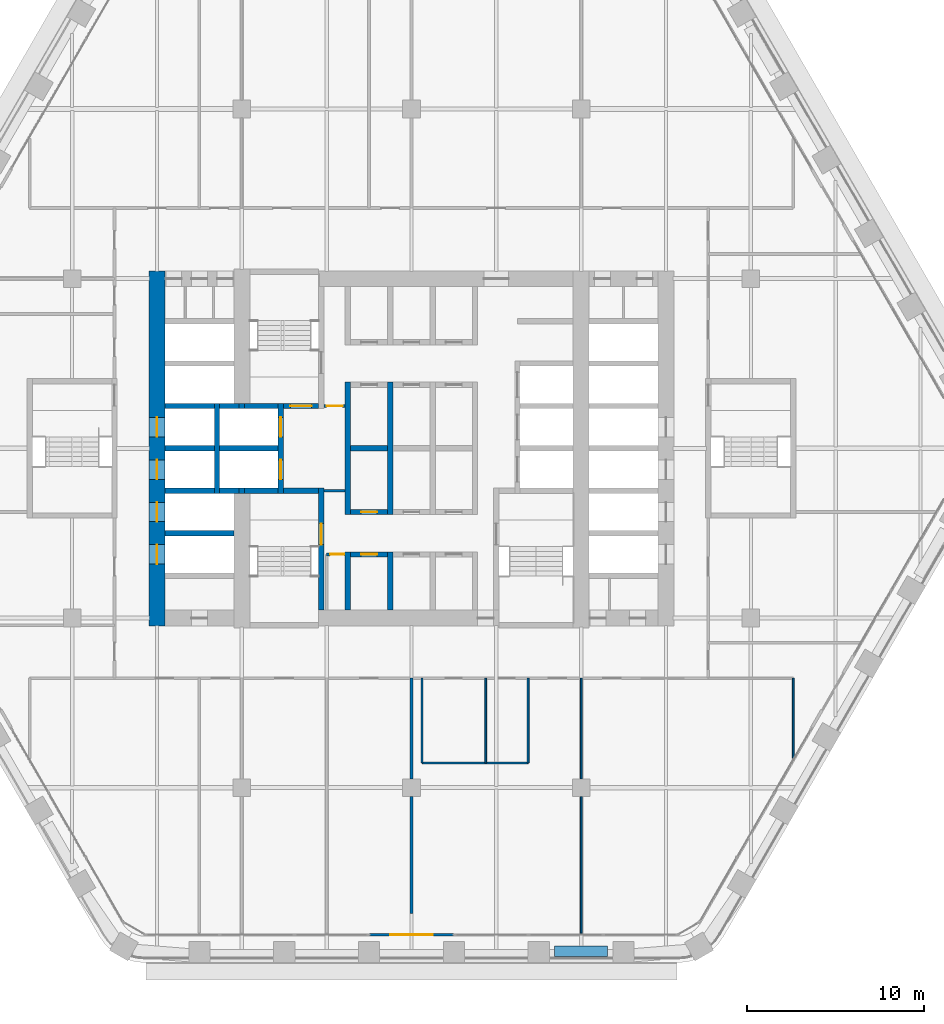
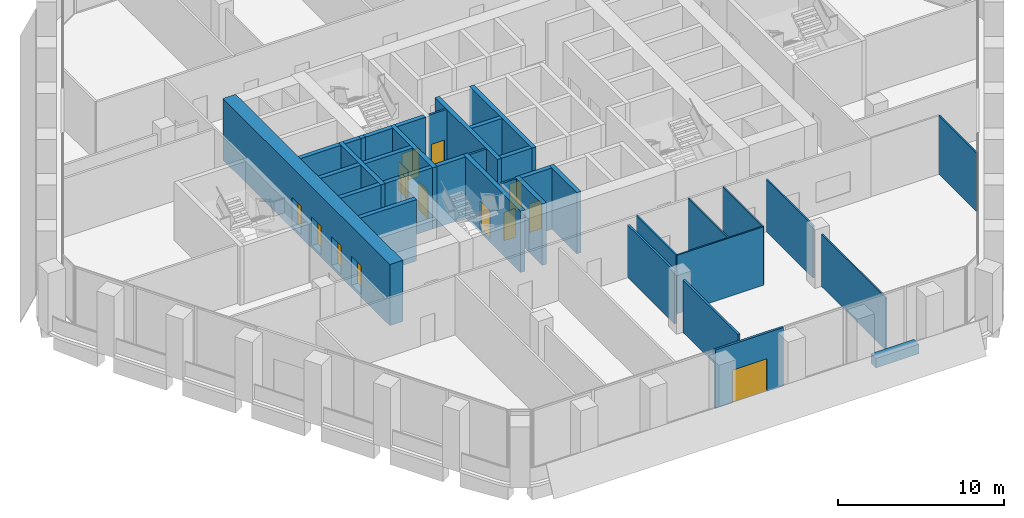
# One storey, part 13 of 22: 38 walls, 13 doors, 13 openings.
"""IFC4 building model written with IfcOpenShell, lengths in metres."""

from ifc_helpers import new_model, si_unit, direction, frame, frame_2d, origin, place, context, subcontext, project, spatial, rectangle, extrude, material, layer, layer_set, type_object, element, fill, save


model = new_model("IFC4")

# Units and contexts
model_context = context("Model", 3, precision=1e-05, world=origin(), true_north=direction((0.0, 1.0)))
body_context = subcontext(model_context, "Body", "Model", "MODEL_VIEW")
ifc_project = project(units=[si_unit("LENGTHUNIT", "METRE"), si_unit("AREAUNIT", "SQUARE_METRE"), si_unit("VOLUMEUNIT", "CUBIC_METRE"), si_unit("PLANEANGLEUNIT", "RADIAN"), si_unit("MASSUNIT", "GRAM", prefix="KILO")], contexts=[model_context])

# Site, building, storey
site_placement = place(None, origin())
site = spatial("IfcSite", under=ifc_project, at=site_placement, CompositionType="ELEMENT")
building_placement = place(site_placement, origin())
building = spatial("IfcBuilding", under=site, at=building_placement, Name="Kolab Exchange Tower", CompositionType="ELEMENT")
storey_placement = place(building_placement, frame((0.0, 0.0, 82.39990234375)))
storey = spatial("IfcBuildingStorey", under=building, at=storey_placement, Name="L15", CompositionType="ELEMENT", Elevation=82.39990234375)

# Wall, openings, doors
ifc_material_1 = material(Name="Concrete C70/85", Category="concrete")
ifc_layer_1 = layer(ifc_material_1, 0.89990234375)
ifc_layer_set_1 = layer_set([ifc_layer_1], Name="Concrete C70/85")
wall_type_1 = type_object("IfcWallType", Name="CORE WALL 900 C70/85", PredefinedType="SHEAR", material=ifc_layer_set_1)
wall_1_placement = place(storey_placement, frame((-14.39990234375, -10.050048828125, -0.199951171875), z_axis=(0.0, 0.0, 1.0), x_axis=(0.0, 1.0, 0.0)))
wall_1 = element("IfcWall", 1, at=wall_1_placement, inside=storey, type_object=wall_type_1, Name="wall/L15/core/057", PredefinedType="SHEAR", context=body_context, shape_type="SweptSolid", body=[
    extrude(rectangle(XDim=20.10009765625, YDim=0.89990234375, at=frame_2d((10.050048828125, 0.0))), origin(), (0.0, 0.0, 1.0), 4.5),
])
opening_1_placement = place(wall_1_placement, frame((3.5, 0.0, 0.199951171875)))
opening_1 = element("IfcOpeningElement", 2, at=opening_1_placement, cuts=wall_1, Name="Opening LD1-073", PredefinedType="OPENING", context=body_context, shape_type="SweptSolid", body=[
    extrude(rectangle(XDim=1.10009765625, YDim=2.10009765625, at=frame_2d((0.550048828125, 1.050048828125))), frame((0.0, 0.4599609375, 0.0), z_axis=(0.0, -1.0, 0.0), x_axis=(1.0, 0.0, 0.0)), (0.0, 0.0, 1.0), 0.919921875),
])
opening_2_placement = place(wall_1_placement, frame((5.89990234375, 0.0, 0.199951171875)))
opening_2 = element("IfcOpeningElement", 3, at=opening_2_placement, cuts=wall_1, Name="Opening LD1-074", PredefinedType="OPENING", context=body_context, shape_type="SweptSolid", body=[
    extrude(rectangle(XDim=1.10009765625, YDim=2.10009765625, at=frame_2d((0.550048828125, 1.050048828125))), frame((0.0, 0.4599609375, 0.0), z_axis=(0.0, -1.0, 0.0), x_axis=(1.0, 0.0, 0.0)), (0.0, 0.0, 1.0), 0.919921875),
])
opening_3_placement = place(wall_1_placement, frame((8.300048828125, 0.0, 0.199951171875)))
opening_3 = element("IfcOpeningElement", 4, at=opening_3_placement, cuts=wall_1, Name="Opening LD1-075", PredefinedType="OPENING", context=body_context, shape_type="SweptSolid", body=[
    extrude(rectangle(XDim=1.10009765625, YDim=2.10009765625, at=frame_2d((0.550048828125, 1.050048828125))), frame((0.0, 0.4599609375, 0.0), z_axis=(0.0, -1.0, 0.0), x_axis=(1.0, 0.0, 0.0)), (0.0, 0.0, 1.0), 0.919921875),
])
opening_4_placement = place(wall_1_placement, frame((10.699951171875, 0.0, 0.199951171875)))
opening_4 = element("IfcOpeningElement", 5, at=opening_4_placement, cuts=wall_1, Name="Opening LD1-076", PredefinedType="OPENING", context=body_context, shape_type="SweptSolid", body=[
    extrude(rectangle(XDim=1.10009765625, YDim=2.10009765625, at=frame_2d((0.550048828125, 1.050048828125))), frame((0.0, 0.4599609375, 0.0), z_axis=(0.0, -1.0, 0.0), x_axis=(1.0, 0.0, 0.0)), (0.0, 0.0, 1.0), 0.919921875),
])
ifc_material_2 = material(Name="Stainless steel 316", Category="steel")
door_type_1 = type_object("IfcDoorType", Name="LANDING DOOR 1100 PASSENGER", OperationType="DOUBLE_DOOR_SLIDING", PredefinedType="DOOR", material=ifc_material_2)
door_1_placement = place(opening_1_placement, origin())
door_1 = element("IfcDoor", 6, at=door_1_placement, inside=storey, type_object=door_type_1, Name="Landing door LR5", OperationType="DOUBLE_DOOR_SLIDING", OverallHeight=2.10009765625, OverallWidth=1.10009765625, PredefinedType="DOOR", context=body_context, shape_type="SweptSolid", body=[
    extrude(rectangle(XDim=1.10009765625, YDim=2.10009765625, at=frame_2d((0.550048828125, 1.050048828125))), frame((0.0, 0.02490234375, 0.0), z_axis=(0.0, -1.0, 0.0), x_axis=(1.0, 0.0, 0.0)), (0.0, 0.0, 1.0), 0.050048828125),
])
fill(opening_1, door_1)
door_2_placement = place(opening_2_placement, origin())
door_2 = element("IfcDoor", 7, at=door_2_placement, inside=storey, type_object=door_type_1, Name="Landing door LR6", OperationType="DOUBLE_DOOR_SLIDING", OverallHeight=2.10009765625, OverallWidth=1.10009765625, PredefinedType="DOOR", context=body_context, shape_type="SweptSolid", body=[
    extrude(rectangle(XDim=1.10009765625, YDim=2.10009765625, at=frame_2d((0.550048828125, 1.050048828125))), frame((0.0, 0.02490234375, 0.0), z_axis=(0.0, -1.0, 0.0), x_axis=(1.0, 0.0, 0.0)), (0.0, 0.0, 1.0), 0.050048828125),
])
fill(opening_2, door_2)
door_3_placement = place(opening_3_placement, origin())
door_3 = element("IfcDoor", 8, at=door_3_placement, inside=storey, type_object=door_type_1, Name="Landing door LR7", OperationType="DOUBLE_DOOR_SLIDING", OverallHeight=2.10009765625, OverallWidth=1.10009765625, PredefinedType="DOOR", context=body_context, shape_type="SweptSolid", body=[
    extrude(rectangle(XDim=1.10009765625, YDim=2.10009765625, at=frame_2d((0.550048828125, 1.050048828125))), frame((0.0, 0.02490234375, 0.0), z_axis=(0.0, -1.0, 0.0), x_axis=(1.0, 0.0, 0.0)), (0.0, 0.0, 1.0), 0.050048828125),
])
fill(opening_3, door_3)
door_4_placement = place(opening_4_placement, origin())
door_4 = element("IfcDoor", 9, at=door_4_placement, inside=storey, type_object=door_type_1, Name="Landing door LR8", OperationType="DOUBLE_DOOR_SLIDING", OverallHeight=2.10009765625, OverallWidth=1.10009765625, PredefinedType="DOOR", context=body_context, shape_type="SweptSolid", body=[
    extrude(rectangle(XDim=1.10009765625, YDim=2.10009765625, at=frame_2d((0.550048828125, 1.050048828125))), frame((0.0, 0.02490234375, 0.0), z_axis=(0.0, -1.0, 0.0), x_axis=(1.0, 0.0, 0.0)), (0.0, 0.0, 1.0), 0.050048828125),
])
fill(opening_4, door_4)

# Wall, opening, door
ifc_material_3 = material(Name="Aluminium EN AW-6063 T6", Category="aluminium")
ifc_layer_2 = layer(ifc_material_3, 0.159912109375)
ifc_layer_set_2 = layer_set([ifc_layer_2], Name="Aluminium EN AW-6063 T6")
wall_type_2 = type_object("IfcWallType", Name="DOOR SURROUND WALL 160 ALUMINIUM FRAMED", PredefinedType="PARTITIONING", material=ifc_layer_set_2)
wall_2_placement = place(storey_placement, frame((2.3701171875, -27.5185546875, 0.0), z_axis=(0.0, 0.0, 1.0), x_axis=(-1.0, 0.0, 0.0)))
wall_2 = element("IfcWall", 10, at=wall_2_placement, inside=storey, type_object=wall_type_2, Name="Door surround wall", PredefinedType="PARTITIONING", context=body_context, shape_type="SweptSolid", body=[
    extrude(rectangle(XDim=4.740234375, YDim=0.159912109375, at=frame_2d((2.3701171875, 0.0))), origin(), (0.0, 0.0, 1.0), 4.300048828125),
])
opening_5_placement = place(wall_2_placement, frame((1.169921875, 0.0, 0.0)))
opening_5 = element("IfcOpeningElement", 11, at=opening_5_placement, cuts=wall_2, Name="Opening GD1-037", PredefinedType="OPENING", context=body_context, shape_type="SweptSolid", body=[
    extrude(rectangle(XDim=2.39990234375, YDim=2.39990234375, at=frame_2d((1.199951171875, 1.199951171875))), frame((0.0, 0.08984375, 0.0), z_axis=(0.0, -1.0, 0.0), x_axis=(1.0, 0.0, 0.0)), (0.0, 0.0, 1.0), 0.179931640625),
])
door_type_2 = type_object("IfcDoorType", Name="LOGGIA SLIDING GLASS DOOR 2400 X 2400", OperationType="DOUBLE_DOOR_SINGLE_SWING", PredefinedType="DOOR", material=ifc_material_3)
door_5_placement = place(opening_5_placement, origin())
door_5 = element("IfcDoor", 12, at=door_5_placement, inside=storey, type_object=door_type_2, Name="Loggia door", OperationType="DOUBLE_DOOR_SLIDING", OverallHeight=2.39990234375, OverallWidth=2.39990234375, PredefinedType="DOOR", context=body_context, shape_type="SweptSolid", body=[
    extrude(rectangle(XDim=2.39990234375, YDim=2.39990234375, at=frame_2d((1.199951171875, 1.199951171875))), frame((0.0, 0.02490234375, 0.0), z_axis=(0.0, -1.0, 0.0), x_axis=(1.0, 0.0, 0.0)), (0.0, 0.0, 1.0), 0.050048828125),
])
fill(opening_5, door_5)

ifc_material_4 = material(Name="Concrete C50/60", Category="concrete")
ifc_layer_3 = layer(ifc_material_4, 0.300048828125)
ifc_layer_set_3 = layer_set([ifc_layer_3], Name="Concrete C50/60")
wall_type_3 = type_object("IfcWallType", Name="LIFT SHAFT WALL 300 C50/60", PredefinedType="STANDARD", material=ifc_layer_set_3)
wall_3_placement = place(storey_placement, frame((-3.449951171875, -6.0, -0.199951171875), z_axis=(0.0, 0.0, 1.0), x_axis=(1.0, 0.0, 0.0)))
wall_3 = element("IfcWall", 13, at=wall_3_placement, inside=storey, type_object=wall_type_3, Name="wall/L15/core/007", PredefinedType="STANDARD", context=body_context, shape_type="SweptSolid", body=[
    extrude(rectangle(XDim=2.099853515625, YDim=0.300048828125, at=frame_2d((1.0498046875, 0.0))), origin(), (0.0, 0.0, 1.0), 4.5),
])
opening_6_placement = place(wall_3_placement, frame((0.60009765625, 0.0, 0.199951171875)))
opening_6 = element("IfcOpeningElement", 14, at=opening_6_placement, cuts=wall_3, Name="Opening D6-202", PredefinedType="OPENING", context=body_context, shape_type="SweptSolid", body=[
    extrude(rectangle(XDim=0.89990234375, YDim=2.10009765625, at=frame_2d((0.449951171875, 1.050048828125))), frame((0.0, 0.16015625, 0.0), z_axis=(0.0, -1.0, 0.0), x_axis=(1.0, 0.0, 0.0)), (0.0, 0.0, 1.0), 0.320068359375),
])
ifc_material_5 = material(Name="Steel S235", Category="steel")
door_type_3 = type_object("IfcDoorType", Name="CORE DOOR 900 EI 120", OperationType="SINGLE_SWING_LEFT", PredefinedType="DOOR", material=ifc_material_5)
door_6_placement = place(opening_6_placement, frame((0.89990234375, 0.0, 0.0), z_axis=(0.0, 0.0, 1.0), x_axis=(-1.0, 0.0, 0.0)))
door_6 = element("IfcDoor", 15, at=door_6_placement, inside=storey, type_object=door_type_3, Name="Service room door", OperationType="SINGLE_SWING_LEFT", OverallHeight=2.10009765625, OverallWidth=0.89990234375, PredefinedType="DOOR", context=body_context, shape_type="SweptSolid", body=[
    extrude(rectangle(XDim=0.89990234375, YDim=2.10009765625, at=frame_2d((0.449951171875, 1.050048828125))), frame((0.0, 0.02490234375, 0.0), z_axis=(0.0, -1.0, 0.0), x_axis=(1.0, 0.0, 0.0)), (0.0, 0.0, 1.0), 0.050048828125),
])
fill(opening_6, door_6)

# Wall
wall_4_placement = place(storey_placement, frame((-13.949951171875, -4.800048828125, -0.199951171875), z_axis=(0.0, 0.0, 1.0), x_axis=(1.0, 0.0, 0.0)))
element("IfcWall", 16, at=wall_4_placement, inside=storey, type_object=wall_type_3, Name="wall/L15/core/010", PredefinedType="STANDARD", context=body_context, shape_type="SweptSolid", body=[
    extrude(rectangle(XDim=3.89990234375, YDim=0.300048828125, at=frame_2d((1.949951171875, 0.0))), origin(), (0.0, 0.0, 1.0), 4.5),
])

# Wall, opening, door
wall_5_placement = place(storey_placement, frame((-3.449951171875, -3.60009765625, -0.199951171875), z_axis=(0.0, 0.0, 1.0), x_axis=(1.0, 0.0, 0.0)))
wall_5 = element("IfcWall", 17, at=wall_5_placement, inside=storey, type_object=wall_type_3, Name="wall/L15/core/014", PredefinedType="STANDARD", context=body_context, shape_type="SweptSolid", body=[
    extrude(rectangle(XDim=2.099853515625, YDim=0.300048828125, at=frame_2d((1.0498046875, 0.0))), origin(), (0.0, 0.0, 1.0), 4.5),
])
opening_7_placement = place(wall_5_placement, frame((0.60009765625, 0.0, 0.199951171875)))
opening_7 = element("IfcOpeningElement", 18, at=opening_7_placement, cuts=wall_5, Name="Opening D6-199", PredefinedType="OPENING", context=body_context, shape_type="SweptSolid", body=[
    extrude(rectangle(XDim=0.89990234375, YDim=2.10009765625, at=frame_2d((0.449951171875, 1.050048828125))), frame((0.0, 0.16015625, 0.0), z_axis=(0.0, -1.0, 0.0), x_axis=(1.0, 0.0, 0.0)), (0.0, 0.0, 1.0), 0.320068359375),
])
door_7_placement = place(opening_7_placement, origin())
door_7 = element("IfcDoor", 19, at=door_7_placement, inside=storey, type_object=door_type_3, Name="Service room door", OperationType="SINGLE_SWING_LEFT", OverallHeight=2.10009765625, OverallWidth=0.89990234375, PredefinedType="DOOR", context=body_context, shape_type="SweptSolid", body=[
    extrude(rectangle(XDim=0.89990234375, YDim=2.10009765625, at=frame_2d((0.449951171875, 1.050048828125))), frame((0.0, 0.02490234375, 0.0), z_axis=(0.0, -1.0, 0.0), x_axis=(1.0, 0.0, 0.0)), (0.0, 0.0, 1.0), 0.050048828125),
])
fill(opening_7, door_7)

# Walls
wall_6_placement = place(storey_placement, frame((-13.949951171875, -2.39990234375, -0.199951171875), z_axis=(0.0, 0.0, 1.0), x_axis=(1.0, 0.0, 0.0)))
element("IfcWall", 20, at=wall_6_placement, inside=storey, type_object=wall_type_3, Name="wall/L15/core/017", PredefinedType="STANDARD", context=body_context, shape_type="SweptSolid", body=[
    extrude(rectangle(XDim=2.800048828125, YDim=0.300048828125, at=frame_2d((1.39990234375, 0.0))), origin(), (0.0, 0.0, 1.0), 4.5),
])
wall_7_placement = place(storey_placement, frame((-10.85009765625, -2.39990234375, -0.199951171875), z_axis=(0.0, 0.0, 1.0), x_axis=(1.0, 0.0, 0.0)))
element("IfcWall", 21, at=wall_7_placement, inside=storey, type_object=wall_type_3, Name="wall/L15/core/018", PredefinedType="STANDARD", context=body_context, shape_type="SweptSolid", body=[
    extrude(rectangle(XDim=1.10009765625, YDim=0.300048828125, at=frame_2d((0.550048828125, 0.0))), origin(), (0.0, 0.0, 1.0), 4.5),
])
wall_8_placement = place(storey_placement, frame((-13.949951171875, 0.0, -0.199951171875), z_axis=(0.0, 0.0, 1.0), x_axis=(1.0, 0.0, 0.0)))
element("IfcWall", 22, at=wall_8_placement, inside=storey, type_object=wall_type_3, Name="wall/L15/core/024", PredefinedType="STANDARD", context=body_context, shape_type="SweptSolid", body=[
    extrude(rectangle(XDim=2.800048828125, YDim=0.300048828125, at=frame_2d((1.39990234375, 0.0))), origin(), (0.0, 0.0, 1.0), 4.5),
])
wall_9_placement = place(storey_placement, frame((-10.85009765625, 0.0, -0.199951171875), z_axis=(0.0, 0.0, 1.0), x_axis=(1.0, 0.0, 0.0)))
element("IfcWall", 23, at=wall_9_placement, inside=storey, type_object=wall_type_3, Name="wall/L15/core/025", PredefinedType="STANDARD", context=body_context, shape_type="SweptSolid", body=[
    extrude(rectangle(XDim=3.300048828125, YDim=0.300048828125, at=frame_2d((1.64990234375, 0.0))), origin(), (0.0, 0.0, 1.0), 4.5),
])
wall_10_placement = place(storey_placement, frame((-3.449951171875, 0.0, -0.199951171875), z_axis=(0.0, 0.0, 1.0), x_axis=(1.0, 0.0, 0.0)))
element("IfcWall", 24, at=wall_10_placement, inside=storey, type_object=wall_type_3, Name="wall/L15/core/026", PredefinedType="STANDARD", context=body_context, shape_type="SweptSolid", body=[
    extrude(rectangle(XDim=2.099853515625, YDim=0.300048828125, at=frame_2d((1.0498046875, 0.0))), origin(), (0.0, 0.0, 1.0), 4.5),
])
wall_11_placement = place(storey_placement, frame((-13.949951171875, 2.39990234375, -0.199951171875), z_axis=(0.0, 0.0, 1.0), x_axis=(1.0, 0.0, 0.0)))
element("IfcWall", 25, at=wall_11_placement, inside=storey, type_object=wall_type_3, Name="wall/L15/core/031", PredefinedType="STANDARD", context=body_context, shape_type="SweptSolid", body=[
    extrude(rectangle(XDim=2.800048828125, YDim=0.300048828125, at=frame_2d((1.39990234375, 0.0))), origin(), (0.0, 0.0, 1.0), 4.5),
])
wall_12_placement = place(storey_placement, frame((-10.85009765625, 2.39990234375, -0.199951171875), z_axis=(0.0, 0.0, 1.0), x_axis=(1.0, 0.0, 0.0)))
element("IfcWall", 26, at=wall_12_placement, inside=storey, type_object=wall_type_3, Name="wall/L15/core/032", PredefinedType="STANDARD", context=body_context, shape_type="SweptSolid", body=[
    extrude(rectangle(XDim=1.10009765625, YDim=0.300048828125, at=frame_2d((0.550048828125, 0.0))), origin(), (0.0, 0.0, 1.0), 4.5),
])
wall_13_placement = place(storey_placement, frame((-11.0, -2.550048828125, -0.199951171875), z_axis=(0.0, 0.0, 1.0), x_axis=(0.0, 1.0, 0.0)))
element("IfcWall", 27, at=wall_13_placement, inside=storey, type_object=wall_type_3, Name="wall/L15/core/058", PredefinedType="STANDARD", context=body_context, shape_type="SweptSolid", body=[
    extrude(rectangle(XDim=5.10009765625, YDim=0.300048828125, at=frame_2d((2.550048828125, 0.0))), origin(), (0.0, 0.0, 1.0), 4.5),
])

# Wall, openings, doors
wall_14_placement = place(storey_placement, frame((-7.39990234375, -2.550048828125, -0.199951171875), z_axis=(0.0, 0.0, 1.0), x_axis=(0.0, 1.0, 0.0)))
wall_14 = element("IfcWall", 28, at=wall_14_placement, inside=storey, type_object=wall_type_3, Name="wall/L15/core/063", PredefinedType="STANDARD", context=body_context, shape_type="SweptSolid", body=[
    extrude(rectangle(XDim=5.10009765625, YDim=0.300048828125, at=frame_2d((2.550048828125, 0.0))), origin(), (0.0, 0.0, 1.0), 4.5),
])
opening_8_placement = place(wall_14_placement, frame((0.800048828125, 0.0, 0.199951171875)))
opening_8 = element("IfcOpeningElement", 29, at=opening_8_placement, cuts=wall_14, Name="Opening LD2-017", PredefinedType="OPENING", context=body_context, shape_type="SweptSolid", body=[
    extrude(rectangle(XDim=1.10009765625, YDim=2.10009765625, at=frame_2d((0.550048828125, 1.050048828125))), frame((0.0, 0.16015625, 0.0), z_axis=(0.0, -1.0, 0.0), x_axis=(1.0, 0.0, 0.0)), (0.0, 0.0, 1.0), 0.320068359375),
])
opening_9_placement = place(wall_14_placement, frame((3.199951171875, 0.0, 0.199951171875)))
opening_9 = element("IfcOpeningElement", 30, at=opening_9_placement, cuts=wall_14, Name="Opening LD2-018", PredefinedType="OPENING", context=body_context, shape_type="SweptSolid", body=[
    extrude(rectangle(XDim=1.10009765625, YDim=2.10009765625, at=frame_2d((0.550048828125, 1.050048828125))), frame((0.0, 0.16015625, 0.0), z_axis=(0.0, -1.0, 0.0), x_axis=(1.0, 0.0, 0.0)), (0.0, 0.0, 1.0), 0.320068359375),
])
door_type_4 = type_object("IfcDoorType", Name="LANDING DOOR 1100 FIREFIGHTING", OperationType="DOUBLE_DOOR_SLIDING", PredefinedType="DOOR", material=ifc_material_2)
door_8_placement = place(opening_8_placement, origin())
door_8 = element("IfcDoor", 31, at=door_8_placement, inside=storey, type_object=door_type_4, Name="Landing door FF1", OperationType="DOUBLE_DOOR_SLIDING", OverallHeight=2.10009765625, OverallWidth=1.10009765625, PredefinedType="DOOR", context=body_context, shape_type="SweptSolid", body=[
    extrude(rectangle(XDim=1.10009765625, YDim=2.10009765625, at=frame_2d((0.550048828125, 1.050048828125))), frame((0.0, 0.02490234375, 0.0), z_axis=(0.0, -1.0, 0.0), x_axis=(1.0, 0.0, 0.0)), (0.0, 0.0, 1.0), 0.050048828125),
])
fill(opening_8, door_8)
door_9_placement = place(opening_9_placement, origin())
door_9 = element("IfcDoor", 32, at=door_9_placement, inside=storey, type_object=door_type_4, Name="Landing door FF2", OperationType="DOUBLE_DOOR_SLIDING", OverallHeight=2.10009765625, OverallWidth=1.10009765625, PredefinedType="DOOR", context=body_context, shape_type="SweptSolid", body=[
    extrude(rectangle(XDim=1.10009765625, YDim=2.10009765625, at=frame_2d((0.550048828125, 1.050048828125))), frame((0.0, 0.02490234375, 0.0), z_axis=(0.0, -1.0, 0.0), x_axis=(1.0, 0.0, 0.0)), (0.0, 0.0, 1.0), 0.050048828125),
])
fill(opening_9, door_9)

# Walls
wall_15_placement = place(storey_placement, frame((-3.60009765625, -9.14990234375, -0.199951171875), z_axis=(0.0, 0.0, 1.0), x_axis=(0.0, 1.0, 0.0)))
element("IfcWall", 33, at=wall_15_placement, inside=storey, type_object=wall_type_3, Name="wall/L15/core/066", PredefinedType="STANDARD", context=body_context, shape_type="SweptSolid", body=[
    extrude(rectangle(XDim=3.2998046875, YDim=0.300048828125, at=frame_2d((1.64990234375, 0.0))), origin(), (0.0, 0.0, 1.0), 4.5),
])
wall_16_placement = place(storey_placement, frame((-3.60009765625, -3.75, -0.199951171875), z_axis=(0.0, 0.0, 1.0), x_axis=(0.0, 1.0, 0.0)))
element("IfcWall", 34, at=wall_16_placement, inside=storey, type_object=wall_type_3, Name="wall/L15/core/067", PredefinedType="STANDARD", context=body_context, shape_type="SweptSolid", body=[
    extrude(rectangle(XDim=7.5, YDim=0.300048828125, at=frame_2d((3.75, 0.0))), origin(), (0.0, 0.0, 1.0), 4.5),
])
wall_17_placement = place(storey_placement, frame((-1.199951171875, -9.14990234375, -0.199951171875), z_axis=(0.0, 0.0, 1.0), x_axis=(0.0, 1.0, 0.0)))
element("IfcWall", 35, at=wall_17_placement, inside=storey, type_object=wall_type_3, Name="wall/L15/core/069", PredefinedType="STANDARD", context=body_context, shape_type="SweptSolid", body=[
    extrude(rectangle(XDim=3.2998046875, YDim=0.300048828125, at=frame_2d((1.64990234375, 0.0))), origin(), (0.0, 0.0, 1.0), 4.5),
])
wall_18_placement = place(storey_placement, frame((-1.199951171875, -3.75, -0.199951171875), z_axis=(0.0, 0.0, 1.0), x_axis=(0.0, 1.0, 0.0)))
element("IfcWall", 36, at=wall_18_placement, inside=storey, type_object=wall_type_3, Name="wall/L15/core/070", PredefinedType="STANDARD", context=body_context, shape_type="SweptSolid", body=[
    extrude(rectangle(XDim=7.5, YDim=0.300048828125, at=frame_2d((3.75, 0.0))), origin(), (0.0, 0.0, 1.0), 4.5),
])
ifc_material_6 = material(Name="Gypsum board", Category="gypsum")
ifc_layer_4 = layer(ifc_material_6, 0.10009765625)
ifc_layer_set_4 = layer_set([ifc_layer_4], Name="Gypsum board")
wall_type_4 = type_object("IfcWallType", Name="PARTITION 100", PredefinedType="PARTITIONING", material=ifc_layer_set_4)
wall_19_placement = place(storey_placement, frame((21.60009765625, -17.544677734375, 0.0), z_axis=(0.0, 0.0, 1.0), x_axis=(0.0, 1.0, 0.0)))
element("IfcWall", 37, at=wall_19_placement, inside=storey, type_object=wall_type_4, Name="Partition 000", PredefinedType="PARTITIONING", context=body_context, shape_type="SweptSolid", body=[
    extrude(rectangle(XDim=4.544677734375, YDim=0.10009765625, at=frame_2d((2.2724609375, 0.0))), origin(), (0.0, 0.0, 1.0), 4.300048828125),
])
wall_20_placement = place(storey_placement, frame((9.60009765625, -27.428466796875, 0.0), z_axis=(0.0, 0.0, 1.0), x_axis=(0.0, 1.0, 0.0)))
element("IfcWall", 38, at=wall_20_placement, inside=storey, type_object=wall_type_4, Name="Partition 006", PredefinedType="PARTITIONING", context=body_context, shape_type="SweptSolid", body=[
    extrude(rectangle(XDim=7.728515625, YDim=0.10009765625, at=frame_2d((3.8642578125, 0.0))), origin(), (0.0, 0.0, 1.0), 3.843017578125),
])
wall_21_placement = place(storey_placement, frame((9.60009765625, -18.699951171875, 0.0), z_axis=(0.0, 0.0, 1.0), x_axis=(0.0, 1.0, 0.0)))
element("IfcWall", 39, at=wall_21_placement, inside=storey, type_object=wall_type_4, Name="Partition 007", PredefinedType="PARTITIONING", context=body_context, shape_type="SweptSolid", body=[
    extrude(rectangle(XDim=5.699951171875, YDim=0.10009765625, at=frame_2d((2.85009765625, 0.0))), origin(), (0.0, 0.0, 1.0), 3.843017578125),
])
for number, where, z_axis, x_axis, name in (
    (40, (6.60009765625, -17.800048828125, 0.0), (0.0, 0.0, 1.0), (0.0, 1.0, 0.0), "Partition 010"),
    (41, (4.199951171875, -17.800048828125, 0.0), (0.0, 0.0, 1.0), (0.0, 1.0, 0.0), "Partition 011"),
    (42, (0.60009765625, -17.800048828125, 0.0), (0.0, 0.0, 1.0), (0.0, 1.0, 0.0), "Partition 012"),
):
    element("IfcWall", number, at=place(storey_placement, frame(where, z_axis=z_axis, x_axis=x_axis)), inside=storey, type_object=wall_type_4, Name=name, PredefinedType="PARTITIONING", context=body_context, shape_type="SweptSolid", body=[
        extrude(rectangle(XDim=4.800048828125, YDim=0.10009765625, at=frame_2d((2.39990234375, 0.0))), origin(), (0.0, 0.0, 1.0), 4.300048828125),
    ])
wall_22_placement = place(storey_placement, frame((0.60009765625, -17.800048828125, 0.0), z_axis=(0.0, 0.0, 1.0), x_axis=(1.0, 0.0, 0.0)))
element("IfcWall", 43, at=wall_22_placement, inside=storey, type_object=wall_type_4, Name="Partition 032", PredefinedType="PARTITIONING", context=body_context, shape_type="SweptSolid", body=[
    extrude(rectangle(XDim=6.0, YDim=0.10009765625, at=frame_2d((3.0, 0.0))), origin(), (0.0, 0.0, 1.0), 4.300048828125),
])
ifc_layer_5 = layer(ifc_material_6, 0.14990234375)
ifc_layer_set_5 = layer_set([ifc_layer_5], Name="Gypsum board")
wall_type_5 = type_object("IfcWallType", Name="PARTITION 150 FIRE-RATED", PredefinedType="PARTITIONING", material=ifc_layer_set_5)
wall_23_placement = place(storey_placement, frame((0.0, -26.318603515625, 0.0), z_axis=(0.0, 0.0, 1.0), x_axis=(0.0, 1.0, 0.0)))
element("IfcWall", 44, at=wall_23_placement, inside=storey, type_object=wall_type_5, Name="Partition 013", PredefinedType="PARTITIONING", context=body_context, shape_type="SweptSolid", body=[
    extrude(rectangle(XDim=6.61865234375, YDim=0.14990234375, at=frame_2d((3.309326171875, 0.0))), origin(), (0.0, 0.0, 1.0), 3.843017578125),
])
wall_24_placement = place(storey_placement, frame((0.0, -18.699951171875, 0.0), z_axis=(0.0, 0.0, 1.0), x_axis=(0.0, 1.0, 0.0)))
element("IfcWall", 45, at=wall_24_placement, inside=storey, type_object=wall_type_5, Name="Partition 014", PredefinedType="PARTITIONING", context=body_context, shape_type="SweptSolid", body=[
    extrude(rectangle(XDim=5.699951171875, YDim=0.14990234375, at=frame_2d((2.85009765625, 0.0))), origin(), (0.0, 0.0, 1.0), 3.843017578125),
])

# Wall, opening, door
wall_25_placement = place(storey_placement, frame((-4.800048828125, -6.0, 0.0), z_axis=(0.0, 0.0, 1.0), x_axis=(1.0, 0.0, 0.0)))
wall_25 = element("IfcWall", 46, at=wall_25_placement, inside=storey, type_object=wall_type_5, Name="Partition 038", PredefinedType="PARTITIONING", context=body_context, shape_type="SweptSolid", body=[
    extrude(rectangle(XDim=1.050048828125, YDim=0.14990234375, at=frame_2d((0.52490234375, 0.0))), origin(), (0.0, 0.0, 1.0), 4.300048828125),
])
opening_10_placement = place(wall_25_placement, frame((0.199951171875, 0.0, 0.0)))
opening_10 = element("IfcOpeningElement", 47, at=opening_10_placement, cuts=wall_25, Name="Opening D7-020", PredefinedType="OPENING", context=body_context, shape_type="SweptSolid", body=[
    extrude(rectangle(XDim=0.800048828125, YDim=2.10009765625, at=frame_2d((0.39990234375, 1.050048828125))), frame((0.0, 0.0849609375, 0.0), z_axis=(0.0, -1.0, 0.0), x_axis=(1.0, 0.0, 0.0)), (0.0, 0.0, 1.0), 0.169921875),
])
door_type_5 = type_object("IfcDoorType", Name="FLUSH DOOR 800 FD60", OperationType="SINGLE_SWING_LEFT", PredefinedType="DOOR", material=ifc_material_5)
door_10_placement = place(opening_10_placement, frame((0.800048828125, 0.0, 0.0), z_axis=(0.0, 0.0, 1.0), x_axis=(-1.0, 0.0, 0.0)))
door_10 = element("IfcDoor", 48, at=door_10_placement, inside=storey, type_object=door_type_5, Name="Door L15-041", OperationType="SINGLE_SWING_RIGHT", OverallHeight=2.10009765625, OverallWidth=0.800048828125, PredefinedType="DOOR", context=body_context, shape_type="SweptSolid", body=[
    extrude(rectangle(XDim=0.800048828125, YDim=2.10009765625, at=frame_2d((0.39990234375, 1.050048828125))), frame((0.0, 0.02490234375, 0.0), z_axis=(0.0, -1.0, 0.0), x_axis=(1.0, 0.0, 0.0)), (0.0, 0.0, 1.0), 0.050048828125),
])
fill(opening_10, door_10)

wall_26_placement = place(storey_placement, frame((-4.949951171875, 2.39990234375, 0.0), z_axis=(0.0, 0.0, 1.0), x_axis=(1.0, 0.0, 0.0)))
wall_26 = element("IfcWall", 49, at=wall_26_placement, inside=storey, type_object=wall_type_5, Name="Fire partition", PredefinedType="PARTITIONING", context=body_context, shape_type="SweptSolid", body=[
    extrude(rectangle(XDim=1.199951171875, YDim=0.14990234375, at=frame_2d((0.60009765625, 0.0))), origin(), (0.0, 0.0, 1.0), 4.300048828125),
])
opening_11_placement = place(wall_26_placement, frame((0.14990234375, 0.0, 0.0)))
opening_11 = element("IfcOpeningElement", 50, at=opening_11_placement, cuts=wall_26, Name="Opening D6-204", PredefinedType="OPENING", context=body_context, shape_type="SweptSolid", body=[
    extrude(rectangle(XDim=0.89990234375, YDim=2.10009765625, at=frame_2d((0.449951171875, 1.050048828125))), frame((0.0, 0.0849609375, 0.0), z_axis=(0.0, -1.0, 0.0), x_axis=(1.0, 0.0, 0.0)), (0.0, 0.0, 1.0), 0.169921875),
])
door_11_placement = place(opening_11_placement, frame((0.89990234375, 0.0, 0.0), z_axis=(0.0, 0.0, 1.0), x_axis=(-1.0, 0.0, 0.0)))
door_11 = element("IfcDoor", 51, at=door_11_placement, inside=storey, type_object=door_type_3, Name="Firefighting lobby door", OperationType="SINGLE_SWING_RIGHT", OverallHeight=2.10009765625, OverallWidth=0.89990234375, PredefinedType="DOOR", context=body_context, shape_type="SweptSolid", body=[
    extrude(rectangle(XDim=0.89990234375, YDim=2.10009765625, at=frame_2d((0.449951171875, 1.050048828125))), frame((0.0, 0.02490234375, 0.0), z_axis=(0.0, -1.0, 0.0), x_axis=(1.0, 0.0, 0.0)), (0.0, 0.0, 1.0), 0.050048828125),
])
fill(opening_11, door_11)

# Walls
wall_27_placement = place(storey_placement, frame((-4.949951171875, -2.39990234375, 0.0), z_axis=(0.0, 0.0, 1.0), x_axis=(1.0, 0.0, 0.0)))
element("IfcWall", 52, at=wall_27_placement, inside=storey, type_object=wall_type_5, Name="Fire partition", PredefinedType="PARTITIONING", context=body_context, shape_type="SweptSolid", body=[
    extrude(rectangle(XDim=1.199951171875, YDim=0.14990234375, at=frame_2d((0.60009765625, 0.0))), origin(), (0.0, 0.0, 1.0), 4.300048828125),
])
ifc_material_7 = material(Name="Granite facing", Category="masonry")
ifc_layer_6 = layer(ifc_material_7, 0.0400390625)
ifc_material_8 = material(Name="Concrete C40/50 precast", Category="concrete")
ifc_layer_7 = layer(ifc_material_8, 0.56005859375)
ifc_layer_set_6 = layer_set([ifc_layer_6, ifc_layer_7], Name="Concrete C40/50 precast")
wall_type_6 = type_object("IfcWallType", Name="PLANTER BOX 600 X 700 SOIL DEPTH 550", PredefinedType="USERDEFINED", material=ifc_layer_set_6)
wall_28_placement = place(storey_placement, frame((11.10009765625, -28.448486328125, 0.0), z_axis=(0.0, 0.0, 1.0), x_axis=(-1.0, 0.0, 0.0)))
element("IfcWall", 53, at=wall_28_placement, inside=storey, type_object=wall_type_6, Name="Planter", ObjectType="PLANTER", PredefinedType="USERDEFINED", context=body_context, shape_type="SweptSolid", body=[
    extrude(rectangle(XDim=3.0, YDim=0.60009765625, at=frame_2d((1.5, 0.0))), origin(), (0.0, 0.0, 1.0), 0.7001953125),
])
ifc_layer_8 = layer(ifc_material_4, 0.300048828125)
ifc_layer_set_7 = layer_set([ifc_layer_8], Name="Concrete C50/60")
wall_type_7 = type_object("IfcWallType", Name="STAIR ENCLOSURE WALL 300 C50/60", PredefinedType="STANDARD", material=ifc_layer_set_7)
wall_29_placement = place(storey_placement, frame((-9.449951171875, -2.39990234375, -0.199951171875), z_axis=(0.0, 0.0, 1.0), x_axis=(1.0, 0.0, 0.0)))
element("IfcWall", 54, at=wall_29_placement, inside=storey, type_object=wall_type_7, Name="wall/L15/core/019", PredefinedType="STANDARD", context=body_context, shape_type="SweptSolid", body=[
    extrude(rectangle(XDim=1.89990234375, YDim=0.300048828125, at=frame_2d((0.949951171875, 0.0))), origin(), (0.0, 0.0, 1.0), 4.5),
])
wall_30_placement = place(storey_placement, frame((-7.25, -2.39990234375, -0.199951171875), z_axis=(0.0, 0.0, 1.0), x_axis=(1.0, 0.0, 0.0)))
element("IfcWall", 55, at=wall_30_placement, inside=storey, type_object=wall_type_7, Name="wall/L15/core/020", PredefinedType="STANDARD", context=body_context, shape_type="SweptSolid", body=[
    extrude(rectangle(XDim=2.0, YDim=0.300048828125, at=frame_2d((1.0, 0.0))), origin(), (0.0, 0.0, 1.0), 4.5),
])
wall_31_placement = place(storey_placement, frame((-9.449951171875, 2.39990234375, -0.199951171875), z_axis=(0.0, 0.0, 1.0), x_axis=(1.0, 0.0, 0.0)))
element("IfcWall", 56, at=wall_31_placement, inside=storey, type_object=wall_type_7, Name="wall/L15/core/033", PredefinedType="STANDARD", context=body_context, shape_type="SweptSolid", body=[
    extrude(rectangle(XDim=1.89990234375, YDim=0.300048828125, at=frame_2d((0.949951171875, 0.0))), origin(), (0.0, 0.0, 1.0), 4.5),
])

# Wall, opening, door
wall_32_placement = place(storey_placement, frame((-7.25, 2.39990234375, -0.199951171875), z_axis=(0.0, 0.0, 1.0), x_axis=(1.0, 0.0, 0.0)))
wall_32 = element("IfcWall", 57, at=wall_32_placement, inside=storey, type_object=wall_type_7, Name="wall/L15/core/034", PredefinedType="STANDARD", context=body_context, shape_type="SweptSolid", body=[
    extrude(rectangle(XDim=2.0, YDim=0.300048828125, at=frame_2d((1.0, 0.0))), origin(), (0.0, 0.0, 1.0), 4.5),
])
opening_12_placement = place(wall_32_placement, frame((0.39990234375, 0.0, 0.199951171875)))
opening_12 = element("IfcOpeningElement", 58, at=opening_12_placement, cuts=wall_32, Name="Opening D4-043", PredefinedType="OPENING", context=body_context, shape_type="SweptSolid", body=[
    extrude(rectangle(XDim=1.199951171875, YDim=2.10009765625, at=frame_2d((0.60009765625, 1.050048828125))), frame((0.0, 0.16015625, 0.0), z_axis=(0.0, -1.0, 0.0), x_axis=(1.0, 0.0, 0.0)), (0.0, 0.0, 1.0), 0.320068359375),
])
door_type_6 = type_object("IfcDoorType", Name="STAIR DOOR 1200 EI 120", OperationType="SINGLE_SWING_LEFT", PredefinedType="DOOR", material=ifc_material_5)
door_12_placement = place(opening_12_placement, origin())
door_12 = element("IfcDoor", 59, at=door_12_placement, inside=storey, type_object=door_type_6, Name="Stair 1 door", OperationType="SINGLE_SWING_RIGHT", OverallHeight=2.10009765625, OverallWidth=1.199951171875, PredefinedType="DOOR", context=body_context, shape_type="SweptSolid", body=[
    extrude(rectangle(XDim=1.199951171875, YDim=2.10009765625, at=frame_2d((0.60009765625, 1.050048828125))), frame((0.0, 0.02490234375, 0.0), z_axis=(0.0, -1.0, 0.0), x_axis=(1.0, 0.0, 0.0)), (0.0, 0.0, 1.0), 0.050048828125),
])
fill(opening_12, door_12)

# Walls
for number, where, z_axis, x_axis, name in (
    (60, (-9.60009765625, -2.550048828125, -0.199951171875), (0.0, 0.0, 1.0), (0.0, 1.0, 0.0), "wall/L15/core/060"),
    (61, (-9.60009765625, 2.25, -0.199951171875), (0.0, 0.0, 1.0), (0.0, 1.0, 0.0), "wall/L15/core/061"),
):
    element("IfcWall", number, at=place(storey_placement, frame(where, z_axis=z_axis, x_axis=x_axis)), inside=storey, type_object=wall_type_7, Name=name, PredefinedType="STANDARD", context=body_context, shape_type="SweptSolid", body=[
        extrude(rectangle(XDim=0.300048828125, YDim=0.300048828125, at=frame_2d((0.14990234375, 0.0))), origin(), (0.0, 0.0, 1.0), 4.5),
    ])

# Wall, opening, door
wall_33_placement = place(storey_placement, frame((-5.10009765625, -9.14990234375, -0.199951171875), z_axis=(0.0, 0.0, 1.0), x_axis=(0.0, 1.0, 0.0)))
wall_33 = element("IfcWall", 62, at=wall_33_placement, inside=storey, type_object=wall_type_7, Name="wall/L15/core/064", PredefinedType="STANDARD", context=body_context, shape_type="SweptSolid", body=[
    extrude(rectangle(XDim=6.89990234375, YDim=0.300048828125, at=frame_2d((3.449951171875, 0.0))), origin(), (0.0, 0.0, 1.0), 4.5),
])
opening_13_placement = place(wall_33_placement, frame((3.699951171875, 0.0, 0.199951171875)))
opening_13 = element("IfcOpeningElement", 63, at=opening_13_placement, cuts=wall_33, Name="Opening D4-046", PredefinedType="OPENING", context=body_context, shape_type="SweptSolid", body=[
    extrude(rectangle(XDim=1.199951171875, YDim=2.10009765625, at=frame_2d((0.60009765625, 1.050048828125))), frame((0.0, 0.16015625, 0.0), z_axis=(0.0, -1.0, 0.0), x_axis=(1.0, 0.0, 0.0)), (0.0, 0.0, 1.0), 0.320068359375),
])
door_13_placement = place(opening_13_placement, origin())
door_13 = element("IfcDoor", 64, at=door_13_placement, inside=storey, type_object=door_type_6, Name="Stair 3 door", OperationType="SINGLE_SWING_RIGHT", OverallHeight=2.10009765625, OverallWidth=1.199951171875, PredefinedType="DOOR", context=body_context, shape_type="SweptSolid", body=[
    extrude(rectangle(XDim=1.199951171875, YDim=2.10009765625, at=frame_2d((0.60009765625, 1.050048828125))), frame((0.0, 0.02490234375, 0.0), z_axis=(0.0, -1.0, 0.0), x_axis=(1.0, 0.0, 0.0)), (0.0, 0.0, 1.0), 0.050048828125),
])
fill(opening_13, door_13)

save(model, "model.ifc")
